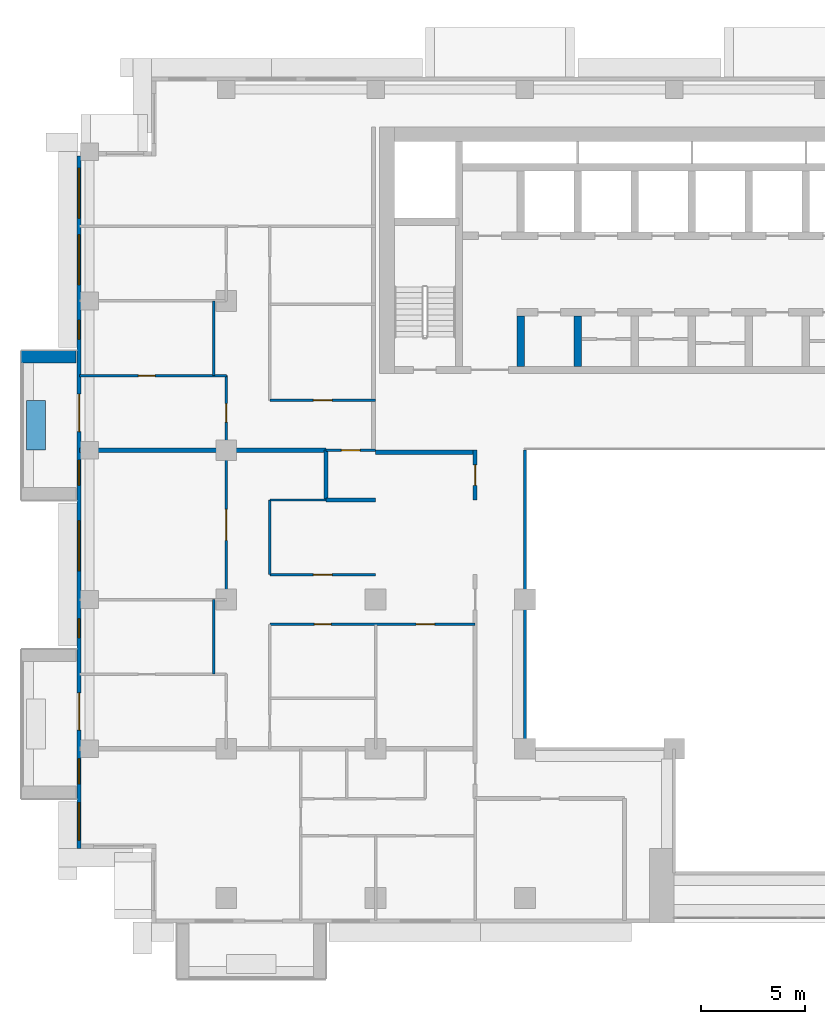
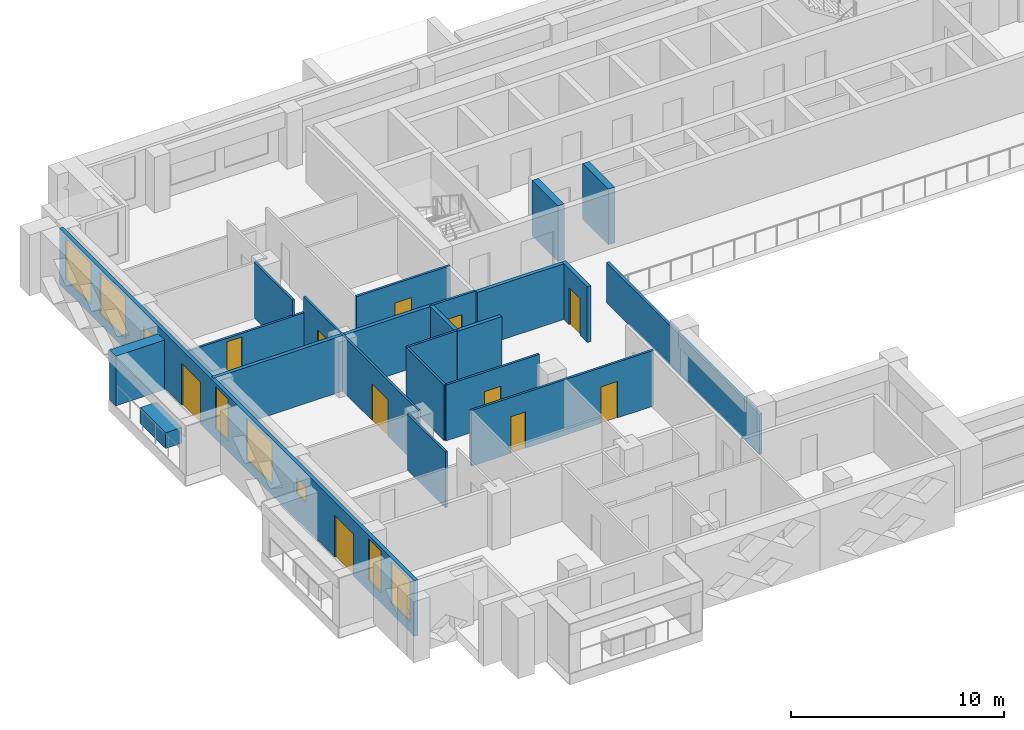
# One storey, part 7 of 20: 21 walls, 11 doors, 8 windows, 19 openings.
"""IFC4 building model written with IfcOpenShell, lengths in metres."""

from ifc_helpers import new_model, si_unit, direction, frame, frame_2d, origin, place, context, subcontext, project, spatial, rectangle, extrude, material, layer, layer_set, type_object, element, fill, save


model = new_model("IFC4")

# Units and contexts
model_context = context("Model", 3, precision=1e-05, world=origin(), true_north=direction((0.0, 1.0)))
body_context = subcontext(model_context, "Body", "Model", "MODEL_VIEW")
ifc_project = project(units=[si_unit("LENGTHUNIT", "METRE"), si_unit("AREAUNIT", "SQUARE_METRE"), si_unit("VOLUMEUNIT", "CUBIC_METRE"), si_unit("PLANEANGLEUNIT", "RADIAN"), si_unit("MASSUNIT", "GRAM", prefix="KILO")], contexts=[model_context])

# Site, building, storey
site_placement = place(None, origin())
site = spatial("IfcSite", under=ifc_project, at=site_placement, CompositionType="ELEMENT")
building_placement = place(site_placement, origin())
building = spatial("IfcBuilding", under=site, at=building_placement, Name="Saffron Iwan Residences", CompositionType="ELEMENT")
storey_placement = place(building_placement, frame((0.0, 0.0, 171.0)))
storey = spatial("IfcBuildingStorey", under=building, at=storey_placement, Name="L45", CompositionType="ELEMENT", Elevation=171.0)

# Walls
ifc_material_1 = material(Name="Fire-rated glazing", Category="glass")
ifc_layer_1 = layer(ifc_material_1, 0.14990234375)
ifc_layer_set_1 = layer_set([ifc_layer_1], Name="Fire-rated glazing")
wall_type_1 = type_object("IfcWallType", Name="Atrium glazed screen 150", PredefinedType="SOLIDWALL", material=ifc_layer_set_1)
wall_1_placement = place(storey_placement, frame((36.0, 48.0, 0.0), z_axis=(0.0, 0.0, 1.0), x_axis=(0.0, 1.0, 0.0)))
element("IfcWall", 1, at=wall_1_placement, inside=storey, type_object=wall_type_1, Name="W-L45-SCREEN-v36-48", PredefinedType="SOLIDWALL", context=body_context, shape_type="SweptSolid", body=[
    extrude(rectangle(XDim=14.39990234375, YDim=0.14990234375, at=frame_2d((7.199951171875, 0.0))), origin(), (0.0, 0.0, 1.0), 2.300048828125),
])
ifc_material_2 = material(Name="Concrete C50/60 white painted", Category="concrete")
ifc_layer_2 = layer(ifc_material_2, 0.60009765625)
ifc_layer_set_2 = layer_set([ifc_layer_2], Name="Concrete C50/60 white painted")
wall_type_2 = type_object("IfcWallType", Name="BALCONY FIN 600", PredefinedType="SOLIDWALL", material=ifc_layer_set_2)
wall_2_placement = place(storey_placement, frame((14.35009765625, 66.89990234375, 0.0), z_axis=(0.0, 0.0, 1.0), x_axis=(-1.0, 0.0, 0.0)))
element("IfcWall", 2, at=wall_2_placement, inside=storey, type_object=wall_type_2, Name="Balcony fin L45 F8-0a", PredefinedType="SOLIDWALL", context=body_context, shape_type="SweptSolid", body=[
    extrude(rectangle(XDim=2.650146484375, YDim=0.60009765625, at=frame_2d((1.3251953125, 0.0))), origin(), (0.0, 0.0, 1.0), 2.85009765625),
])
ifc_material_3 = material(Name="Concrete C35/45 white painted", Category="concrete")
ifc_layer_3 = layer(ifc_material_3, 0.14990234375)
ifc_layer_set_3 = layer_set([ifc_layer_3], Name="Concrete C35/45 white painted")
wall_type_3 = type_object("IfcWallType", Name="BALCONY PLANTER", PredefinedType="SOLIDWALL", material=ifc_layer_set_3)
wall_3_placement = place(storey_placement, frame((12.425048828125, 64.800048828125, 0.0), z_axis=(0.0, 0.0, 1.0), x_axis=(0.0, -1.0, 0.0)))
element("IfcWall", 3, at=wall_3_placement, inside=storey, type_object=wall_type_3, Name="PLANTER L45 F8-0", PredefinedType="SOLIDWALL", context=body_context, shape_type="SweptSolid", body=[
    extrude(rectangle(XDim=2.400146484375, YDim=0.89990234375, at=frame_2d((1.2001953125, 0.0))), origin(), (0.0, 0.0, 1.0), 0.89990234375),
])

# Wall, openings, doors, windows
ifc_material_4 = material(Name="Concrete C40/50", Category="concrete")
ifc_layer_4 = layer(ifc_material_4, 0.199951171875)
ifc_layer_set_4 = layer_set([ifc_layer_4], Name="Concrete C40/50")
wall_type_4 = type_object("IfcWallType", Name="EXTERNAL WALL 200", PredefinedType="SOLIDWALL", material=ifc_layer_set_4)
wall_4_placement = place(storey_placement, frame((14.5, 76.60009765625, 0.0), z_axis=(0.0, 0.0, 1.0), x_axis=(0.0, -1.0, 0.0)))
wall_4 = element("IfcWall", 4, at=wall_4_placement, inside=storey, type_object=wall_type_4, Name="External wall L45 F8.0", PredefinedType="SOLIDWALL", context=body_context, shape_type="SweptSolid", body=[
    extrude(rectangle(XDim=33.400146484375, YDim=0.199951171875, at=frame_2d((16.7001953125, 0.0))), origin(), (0.0, 0.0, 1.0), 3.199951171875),
])
opening_1_placement = place(wall_4_placement, frame((11.5, 0.0, 0.0)))
opening_1 = element("IfcOpeningElement", 5, at=opening_1_placement, cuts=wall_4, Name="Opening BD1", PredefinedType="OPENING", context=body_context, shape_type="SweptSolid", body=[
    extrude(rectangle(XDim=1.800048828125, YDim=2.39990234375, at=frame_2d((0.89990234375, 1.199951171875))), frame((0.0, 0.10986328125, 0.0), z_axis=(0.0, -1.0, 0.0), x_axis=(1.0, 0.0, 0.0)), (0.0, 0.0, 1.0), 0.219970703125),
])
opening_2_placement = place(wall_4_placement, frame((25.89990234375, 0.0, 0.0)))
opening_2 = element("IfcOpeningElement", 6, at=opening_2_placement, cuts=wall_4, Name="Opening BD1", PredefinedType="OPENING", context=body_context, shape_type="SweptSolid", body=[
    extrude(rectangle(XDim=1.800048828125, YDim=2.39990234375, at=frame_2d((0.89990234375, 1.199951171875))), frame((0.0, 0.10986328125, 0.0), z_axis=(0.0, -1.0, 0.0), x_axis=(1.0, 0.0, 0.0)), (0.0, 0.0, 1.0), 0.219970703125),
])
opening_3_placement = place(wall_4_placement, frame((29.08740234375, 0.0, 0.60009765625)))
opening_3 = element("IfcOpeningElement", 7, at=opening_3_placement, cuts=wall_4, Name="Opening W3", PredefinedType="OPENING", context=body_context, shape_type="SweptSolid", body=[
    extrude(rectangle(XDim=1.199951171875, YDim=2.39990234375, at=frame_2d((0.60009765625, 1.199951171875))), frame((0.0, 0.10986328125, 0.0), z_axis=(0.0, -1.0, 0.0), x_axis=(1.0, 0.0, 0.0)), (0.0, 0.0, 1.0), 0.219970703125),
])
opening_4_placement = place(wall_4_placement, frame((31.199951171875, 0.0, 0.60009765625)))
opening_4 = element("IfcOpeningElement", 8, at=opening_4_placement, cuts=wall_4, Name="Opening W8", PredefinedType="OPENING", context=body_context, shape_type="SweptSolid", body=[
    extrude(rectangle(XDim=1.800048828125, YDim=2.39990234375, at=frame_2d((0.89990234375, 1.199951171875))), frame((0.0, 0.10986328125, 0.0), z_axis=(0.0, -1.0, 0.0), x_axis=(1.0, 0.0, 0.0)), (0.0, 0.0, 1.0), 0.219970703125),
])
opening_5_placement = place(wall_4_placement, frame((22.33740234375, 0.0, 1.5)))
opening_5 = element("IfcOpeningElement", 9, at=opening_5_placement, cuts=wall_4, Name="Opening W6", PredefinedType="OPENING", context=body_context, shape_type="SweptSolid", body=[
    extrude(rectangle(XDim=0.89990234375, YDim=0.89990234375, at=frame_2d((0.449951171875, 0.449951171875))), frame((0.0, 0.10986328125, 0.0), z_axis=(0.0, -1.0, 0.0), x_axis=(1.0, 0.0, 0.0)), (0.0, 0.0, 1.0), 0.219970703125),
])
opening_6_placement = place(wall_4_placement, frame((14.6875, 0.0, 0.60009765625)))
opening_6 = element("IfcOpeningElement", 10, at=opening_6_placement, cuts=wall_4, Name="Opening W3", PredefinedType="OPENING", context=body_context, shape_type="SweptSolid", body=[
    extrude(rectangle(XDim=1.199951171875, YDim=2.39990234375, at=frame_2d((0.60009765625, 1.199951171875))), frame((0.0, 0.10986328125, 0.0), z_axis=(0.0, -1.0, 0.0), x_axis=(1.0, 0.0, 0.0)), (0.0, 0.0, 1.0), 0.219970703125),
])
opening_7_placement = place(wall_4_placement, frame((17.612548828125, 0.0, 0.60009765625)))
opening_7 = element("IfcOpeningElement", 11, at=opening_7_placement, cuts=wall_4, Name="Opening W1", PredefinedType="OPENING", context=body_context, shape_type="SweptSolid", body=[
    extrude(rectangle(XDim=2.39990234375, YDim=2.39990234375, at=frame_2d((1.199951171875, 1.199951171875))), frame((0.0, 0.10986328125, 0.0), z_axis=(0.0, -1.0, 0.0), x_axis=(1.0, 0.0, 0.0)), (0.0, 0.0, 1.0), 0.219970703125),
])
opening_8_placement = place(wall_4_placement, frame((7.9375, 0.0, 1.5)))
opening_8 = element("IfcOpeningElement", 12, at=opening_8_placement, cuts=wall_4, Name="Opening W6", PredefinedType="OPENING", context=body_context, shape_type="SweptSolid", body=[
    extrude(rectangle(XDim=0.89990234375, YDim=0.89990234375, at=frame_2d((0.449951171875, 0.449951171875))), frame((0.0, 0.10986328125, 0.0), z_axis=(0.0, -1.0, 0.0), x_axis=(1.0, 0.0, 0.0)), (0.0, 0.0, 1.0), 0.219970703125),
])
opening_9_placement = place(wall_4_placement, frame((3.8125, 0.0, 0.60009765625)))
opening_9 = element("IfcOpeningElement", 13, at=opening_9_placement, cuts=wall_4, Name="Opening W1", PredefinedType="OPENING", context=body_context, shape_type="SweptSolid", body=[
    extrude(rectangle(XDim=2.39990234375, YDim=2.39990234375, at=frame_2d((1.199951171875, 1.199951171875))), frame((0.0, 0.10986328125, 0.0), z_axis=(0.0, -1.0, 0.0), x_axis=(1.0, 0.0, 0.0)), (0.0, 0.0, 1.0), 0.219970703125),
])
opening_10_placement = place(wall_4_placement, frame((0.60009765625, 0.0, 0.60009765625)))
opening_10 = element("IfcOpeningElement", 14, at=opening_10_placement, cuts=wall_4, Name="Opening W1", PredefinedType="OPENING", context=body_context, shape_type="SweptSolid", body=[
    extrude(rectangle(XDim=2.39990234375, YDim=2.39990234375, at=frame_2d((1.199951171875, 1.199951171875))), frame((0.0, 0.10986328125, 0.0), z_axis=(0.0, -1.0, 0.0), x_axis=(1.0, 0.0, 0.0)), (0.0, 0.0, 1.0), 0.219970703125),
])
ifc_material_5 = material(Name="Clear glass, laminated double glazed", Category="glass")
door_type_1 = type_object("IfcDoorType", Name="BALCONY DOOR 1800 x 2400", OperationType="DOUBLE_DOOR_SLIDING", PredefinedType="DOOR", material=ifc_material_5)
door_1_placement = place(opening_1_placement, origin())
door_1 = element("IfcDoor", 15, at=door_1_placement, inside=storey, type_object=door_type_1, Name="Balcony door L45 F8.0", OperationType="DOUBLE_DOOR_SLIDING", OverallHeight=2.39990234375, OverallWidth=1.800048828125, PredefinedType="DOOR", context=body_context, shape_type="SweptSolid", body=[
    extrude(rectangle(XDim=1.800048828125, YDim=2.39990234375, at=frame_2d((0.89990234375, 1.199951171875))), frame((0.0, 0.02490234375, 0.0), z_axis=(0.0, -1.0, 0.0), x_axis=(1.0, 0.0, 0.0)), (0.0, 0.0, 1.0), 0.050048828125),
])
fill(opening_1, door_1)
door_2_placement = place(opening_2_placement, origin())
door_2 = element("IfcDoor", 16, at=door_2_placement, inside=storey, type_object=door_type_1, Name="Balcony door L45 F8.1", OperationType="DOUBLE_DOOR_SLIDING", OverallHeight=2.39990234375, OverallWidth=1.800048828125, PredefinedType="DOOR", context=body_context, shape_type="SweptSolid", body=[
    extrude(rectangle(XDim=1.800048828125, YDim=2.39990234375, at=frame_2d((0.89990234375, 1.199951171875))), frame((0.0, 0.02490234375, 0.0), z_axis=(0.0, -1.0, 0.0), x_axis=(1.0, 0.0, 0.0)), (0.0, 0.0, 1.0), 0.050048828125),
])
fill(opening_2, door_2)
window_type_1 = type_object("IfcWindowType", Name="WINDOW 1200 x 2400", PartitioningType="SINGLE_PANEL", PredefinedType="WINDOW", material=ifc_material_5)
window_1_placement = place(opening_3_placement, origin())
window_1 = element("IfcWindow", 17, at=window_1_placement, inside=storey, type_object=window_type_1, Name="Window L45 F8.2", OverallHeight=2.39990234375, OverallWidth=1.199951171875, PartitioningType="SINGLE_PANEL", PredefinedType="WINDOW", context=body_context, shape_type="SweptSolid", body=[
    extrude(rectangle(XDim=1.199951171875, YDim=2.39990234375, at=frame_2d((0.60009765625, 1.199951171875))), frame((0.0, 0.030029296875, 0.0), z_axis=(0.0, -1.0, 0.0), x_axis=(1.0, 0.0, 0.0)), (0.0, 0.0, 1.0), 0.06005859375),
])
fill(opening_3, window_1)
window_2_placement = place(opening_6_placement, origin())
window_2 = element("IfcWindow", 18, at=window_2_placement, inside=storey, type_object=window_type_1, Name="Window L45 F8.5", OverallHeight=2.39990234375, OverallWidth=1.199951171875, PartitioningType="SINGLE_PANEL", PredefinedType="WINDOW", context=body_context, shape_type="SweptSolid", body=[
    extrude(rectangle(XDim=1.199951171875, YDim=2.39990234375, at=frame_2d((0.60009765625, 1.199951171875))), frame((0.0, 0.030029296875, 0.0), z_axis=(0.0, -1.0, 0.0), x_axis=(1.0, 0.0, 0.0)), (0.0, 0.0, 1.0), 0.06005859375),
])
fill(opening_6, window_2)
window_type_2 = type_object("IfcWindowType", Name="WINDOW 1800 x 2400", PartitioningType="DOUBLE_PANEL_VERTICAL", PredefinedType="WINDOW", material=ifc_material_5)
window_3_placement = place(opening_4_placement, origin())
window_3 = element("IfcWindow", 19, at=window_3_placement, inside=storey, type_object=window_type_2, Name="Window L45 F8.3", OverallHeight=2.39990234375, OverallWidth=1.800048828125, PartitioningType="DOUBLE_PANEL_VERTICAL", PredefinedType="WINDOW", context=body_context, shape_type="SweptSolid", body=[
    extrude(rectangle(XDim=1.800048828125, YDim=2.39990234375, at=frame_2d((0.89990234375, 1.199951171875))), frame((0.0, 0.030029296875, 0.0), z_axis=(0.0, -1.0, 0.0), x_axis=(1.0, 0.0, 0.0)), (0.0, 0.0, 1.0), 0.06005859375),
])
fill(opening_4, window_3)
window_type_3 = type_object("IfcWindowType", Name="WINDOW 2400 x 2400", PartitioningType="DOUBLE_PANEL_VERTICAL", PredefinedType="WINDOW", material=ifc_material_5)
window_4_placement = place(opening_7_placement, origin())
window_4 = element("IfcWindow", 20, at=window_4_placement, inside=storey, type_object=window_type_3, Name="Window L45 F8.6", OverallHeight=2.39990234375, OverallWidth=2.39990234375, PartitioningType="DOUBLE_PANEL_VERTICAL", PredefinedType="WINDOW", context=body_context, shape_type="SweptSolid", body=[
    extrude(rectangle(XDim=2.39990234375, YDim=2.39990234375, at=frame_2d((1.199951171875, 1.199951171875))), frame((0.0, 0.030029296875, 0.0), z_axis=(0.0, -1.0, 0.0), x_axis=(1.0, 0.0, 0.0)), (0.0, 0.0, 1.0), 0.06005859375),
])
fill(opening_7, window_4)
window_5_placement = place(opening_9_placement, origin())
window_5 = element("IfcWindow", 21, at=window_5_placement, inside=storey, type_object=window_type_3, Name="Window L45 F8.8", OverallHeight=2.39990234375, OverallWidth=2.39990234375, PartitioningType="DOUBLE_PANEL_VERTICAL", PredefinedType="WINDOW", context=body_context, shape_type="SweptSolid", body=[
    extrude(rectangle(XDim=2.39990234375, YDim=2.39990234375, at=frame_2d((1.199951171875, 1.199951171875))), frame((0.0, 0.030029296875, 0.0), z_axis=(0.0, -1.0, 0.0), x_axis=(1.0, 0.0, 0.0)), (0.0, 0.0, 1.0), 0.06005859375),
])
fill(opening_9, window_5)
window_6_placement = place(opening_10_placement, origin())
window_6 = element("IfcWindow", 22, at=window_6_placement, inside=storey, type_object=window_type_3, Name="Window L45 F8.9", OverallHeight=2.39990234375, OverallWidth=2.39990234375, PartitioningType="DOUBLE_PANEL_VERTICAL", PredefinedType="WINDOW", context=body_context, shape_type="SweptSolid", body=[
    extrude(rectangle(XDim=2.39990234375, YDim=2.39990234375, at=frame_2d((1.199951171875, 1.199951171875))), frame((0.0, 0.030029296875, 0.0), z_axis=(0.0, -1.0, 0.0), x_axis=(1.0, 0.0, 0.0)), (0.0, 0.0, 1.0), 0.06005859375),
])
fill(opening_10, window_6)
window_type_4 = type_object("IfcWindowType", Name="WINDOW 900 x 900 BATH", PartitioningType="SINGLE_PANEL", PredefinedType="WINDOW", material=ifc_material_5)
window_7_placement = place(opening_5_placement, origin())
window_7 = element("IfcWindow", 23, at=window_7_placement, inside=storey, type_object=window_type_4, Name="Window L45 F8.4", OverallHeight=0.89990234375, OverallWidth=0.89990234375, PartitioningType="SINGLE_PANEL", PredefinedType="WINDOW", context=body_context, shape_type="SweptSolid", body=[
    extrude(rectangle(XDim=0.89990234375, YDim=0.89990234375, at=frame_2d((0.449951171875, 0.449951171875))), frame((0.0, 0.030029296875, 0.0), z_axis=(0.0, -1.0, 0.0), x_axis=(1.0, 0.0, 0.0)), (0.0, 0.0, 1.0), 0.06005859375),
])
fill(opening_5, window_7)
window_8_placement = place(opening_8_placement, origin())
window_8 = element("IfcWindow", 24, at=window_8_placement, inside=storey, type_object=window_type_4, Name="Window L45 F8.7", OverallHeight=0.89990234375, OverallWidth=0.89990234375, PartitioningType="SINGLE_PANEL", PredefinedType="WINDOW", context=body_context, shape_type="SweptSolid", body=[
    extrude(rectangle(XDim=0.89990234375, YDim=0.89990234375, at=frame_2d((0.449951171875, 0.449951171875))), frame((0.0, 0.030029296875, 0.0), z_axis=(0.0, -1.0, 0.0), x_axis=(1.0, 0.0, 0.0)), (0.0, 0.0, 1.0), 0.06005859375),
])
fill(opening_8, window_8)

# Walls
ifc_material_6 = material(Name="Fire-rated gypsum board wall")
ifc_layer_5 = layer(ifc_material_6, 0.199951171875)
ifc_layer_set_5 = layer_set([ifc_layer_5], Name="Fire-rated gypsum board wall")
wall_type_5 = type_object("IfcWallType", Name="Flat demising wall 200", PredefinedType="SOLIDWALL", material=ifc_layer_set_5)
wall_5_placement = place(storey_placement, frame((26.39990234375, 60.0, 0.0), z_axis=(0.0, 0.0, 1.0), x_axis=(1.0, 0.0, 0.0)))
element("IfcWall", 25, at=wall_5_placement, inside=storey, type_object=wall_type_5, Name="W-L45-DEMISE-h60-26.4", PredefinedType="SOLIDWALL", context=body_context, shape_type="SweptSolid", body=[
    extrude(rectangle(XDim=2.400146484375, YDim=0.199951171875, at=frame_2d((1.2001953125, 0.0))), origin(), (0.0, 0.0, 1.0), 3.199951171875),
])
wall_6_placement = place(storey_placement, frame((14.52490234375, 62.39990234375, 0.0), z_axis=(0.0, 0.0, 1.0), x_axis=(1.0, 0.0, 0.0)))
element("IfcWall", 26, at=wall_6_placement, inside=storey, type_object=wall_type_5, Name="W-L45-DEMISE-h62.4-14.525", PredefinedType="SOLIDWALL", context=body_context, shape_type="SweptSolid", body=[
    extrude(rectangle(XDim=11.875, YDim=0.199951171875, at=frame_2d((5.9375, 0.0))), origin(), (0.0, 0.0, 1.0), 3.199951171875),
])
wall_7_placement = place(storey_placement, frame((26.39990234375, 60.0, 0.0), z_axis=(0.0, 0.0, 1.0), x_axis=(0.0, 1.0, 0.0)))
element("IfcWall", 27, at=wall_7_placement, inside=storey, type_object=wall_type_5, Name="W-L45-DEMISE-v26.4-60", PredefinedType="SOLIDWALL", context=body_context, shape_type="SweptSolid", body=[
    extrude(rectangle(XDim=2.39990234375, YDim=0.199951171875, at=frame_2d((1.199951171875, 0.0))), origin(), (0.0, 0.0, 1.0), 3.199951171875),
])

# Wall, openings, doors
ifc_material_7 = material(Name="Gypsum board partition")
ifc_layer_6 = layer(ifc_material_7, 0.1201171875)
ifc_layer_set_6 = layer_set([ifc_layer_6], Name="Gypsum board partition")
wall_type_6 = type_object("IfcWallType", Name="Flat partition 120", PredefinedType="PARTITIONING", material=ifc_layer_set_6)
wall_8_placement = place(storey_placement, frame((23.699951171875, 54.0, 0.0), z_axis=(0.0, 0.0, 1.0), x_axis=(1.0, 0.0, 0.0)))
wall_8 = element("IfcWall", 28, at=wall_8_placement, inside=storey, type_object=wall_type_6, Name="W-L45-PART-h54-23.7", PredefinedType="PARTITIONING", context=body_context, shape_type="SweptSolid", body=[
    extrude(rectangle(XDim=9.900146484375, YDim=0.1201171875, at=frame_2d((4.9501953125, 0.0))), origin(), (0.0, 0.0, 1.0), 3.199951171875),
])
opening_11_placement = place(wall_8_placement, frame((2.14990234375, 0.0, 0.0)))
opening_11 = element("IfcOpeningElement", 29, at=opening_11_placement, cuts=wall_8, Name="Opening FD3", PredefinedType="OPENING", context=body_context, shape_type="SweptSolid", body=[
    extrude(rectangle(XDim=0.800048828125, YDim=2.10009765625, at=frame_2d((0.39990234375, 1.050048828125))), frame((0.0, 0.070068359375, 0.0), z_axis=(0.0, -1.0, 0.0), x_axis=(1.0, 0.0, 0.0)), (0.0, 0.0, 1.0), 0.14013671875),
])
opening_12_placement = place(wall_8_placement, frame((7.050048828125, 0.0, 0.0)))
opening_12 = element("IfcOpeningElement", 30, at=opening_12_placement, cuts=wall_8, Name="Opening FD2", PredefinedType="OPENING", context=body_context, shape_type="SweptSolid", body=[
    extrude(rectangle(XDim=0.89990234375, YDim=2.10009765625, at=frame_2d((0.449951171875, 1.050048828125))), frame((0.0, 0.070068359375, 0.0), z_axis=(0.0, -1.0, 0.0), x_axis=(1.0, 0.0, 0.0)), (0.0, 0.0, 1.0), 0.14013671875),
])
ifc_material_8 = material(Name="Timber door", Category="wood")
door_type_2 = type_object("IfcDoorType", Name="Bathroom door 800", OperationType="NOTDEFINED", PredefinedType="DOOR", material=ifc_material_8)
door_3_placement = place(opening_11_placement, origin())
door_3 = element("IfcDoor", 31, at=door_3_placement, inside=storey, type_object=door_type_2, Name="Door L45-013", OperationType="SINGLE_SWING_RIGHT", OverallHeight=2.10009765625, OverallWidth=0.800048828125, PredefinedType="DOOR", context=body_context, shape_type="SweptSolid", body=[
    extrude(rectangle(XDim=0.800048828125, YDim=2.10009765625, at=frame_2d((0.39990234375, 1.050048828125))), frame((0.0, 0.02490234375, 0.0), z_axis=(0.0, -1.0, 0.0), x_axis=(1.0, 0.0, 0.0)), (0.0, 0.0, 1.0), 0.050048828125),
])
fill(opening_11, door_3)
door_type_3 = type_object("IfcDoorType", Name="Flat door 900", OperationType="NOTDEFINED", PredefinedType="DOOR", material=ifc_material_8)
door_4_placement = place(opening_12_placement, origin())
door_4 = element("IfcDoor", 32, at=door_4_placement, inside=storey, type_object=door_type_3, Name="Door L45-015", OperationType="SINGLE_SWING_LEFT", OverallHeight=2.10009765625, OverallWidth=0.89990234375, PredefinedType="DOOR", context=body_context, shape_type="SweptSolid", body=[
    extrude(rectangle(XDim=0.89990234375, YDim=2.10009765625, at=frame_2d((0.449951171875, 1.050048828125))), frame((0.0, 0.02490234375, 0.0), z_axis=(0.0, -1.0, 0.0), x_axis=(1.0, 0.0, 0.0)), (0.0, 0.0, 1.0), 0.050048828125),
])
fill(opening_12, door_4)

# Wall, opening, door
wall_9_placement = place(storey_placement, frame((23.699951171875, 56.39990234375, 0.0), z_axis=(0.0, 0.0, 1.0), x_axis=(1.0, 0.0, 0.0)))
wall_9 = element("IfcWall", 33, at=wall_9_placement, inside=storey, type_object=wall_type_6, Name="W-L45-PART-h56.4-23.7", PredefinedType="PARTITIONING", context=body_context, shape_type="SweptSolid", body=[
    extrude(rectangle(XDim=5.10009765625, YDim=0.1201171875, at=frame_2d((2.550048828125, 0.0))), origin(), (0.0, 0.0, 1.0), 3.199951171875),
])
opening_13_placement = place(wall_9_placement, frame((2.10009765625, 0.0, 0.0)))
opening_13 = element("IfcOpeningElement", 34, at=opening_13_placement, cuts=wall_9, Name="Opening FD2", PredefinedType="OPENING", context=body_context, shape_type="SweptSolid", body=[
    extrude(rectangle(XDim=0.89990234375, YDim=2.10009765625, at=frame_2d((0.449951171875, 1.050048828125))), frame((0.0, 0.070068359375, 0.0), z_axis=(0.0, -1.0, 0.0), x_axis=(1.0, 0.0, 0.0)), (0.0, 0.0, 1.0), 0.14013671875),
])
door_5_placement = place(opening_13_placement, origin())
door_5 = element("IfcDoor", 35, at=door_5_placement, inside=storey, type_object=door_type_3, Name="Door L45-014", OperationType="SINGLE_SWING_LEFT", OverallHeight=2.10009765625, OverallWidth=0.89990234375, PredefinedType="DOOR", context=body_context, shape_type="SweptSolid", body=[
    extrude(rectangle(XDim=0.89990234375, YDim=2.10009765625, at=frame_2d((0.449951171875, 1.050048828125))), frame((0.0, 0.02490234375, 0.0), z_axis=(0.0, -1.0, 0.0), x_axis=(1.0, 0.0, 0.0)), (0.0, 0.0, 1.0), 0.050048828125),
])
fill(opening_13, door_5)

# Wall
wall_10_placement = place(storey_placement, frame((23.699951171875, 60.0, 0.0), z_axis=(0.0, 0.0, 1.0), x_axis=(1.0, 0.0, 0.0)))
element("IfcWall", 36, at=wall_10_placement, inside=storey, type_object=wall_type_6, Name="W-L45-PART-h60-23.7", PredefinedType="PARTITIONING", context=body_context, shape_type="SweptSolid", body=[
    extrude(rectangle(XDim=2.699951171875, YDim=0.1201171875, at=frame_2d((1.35009765625, 0.0))), origin(), (0.0, 0.0, 1.0), 3.199951171875),
])

# Wall, opening, door
wall_11_placement = place(storey_placement, frame((26.39990234375, 62.39990234375, 0.0), z_axis=(0.0, 0.0, 1.0), x_axis=(1.0, 0.0, 0.0)))
wall_11 = element("IfcWall", 37, at=wall_11_placement, inside=storey, type_object=wall_type_6, Name="W-L45-PART-h62.4-26.4", PredefinedType="PARTITIONING", context=body_context, shape_type="SweptSolid", body=[
    extrude(rectangle(XDim=2.400146484375, YDim=0.1201171875, at=frame_2d((1.2001953125, 0.0))), origin(), (0.0, 0.0, 1.0), 3.199951171875),
])
opening_14_placement = place(wall_11_placement, frame((0.75, 0.0, 0.0)))
opening_14 = element("IfcOpeningElement", 38, at=opening_14_placement, cuts=wall_11, Name="Opening FD2", PredefinedType="OPENING", context=body_context, shape_type="SweptSolid", body=[
    extrude(rectangle(XDim=0.89990234375, YDim=2.10009765625, at=frame_2d((0.449951171875, 1.050048828125))), frame((0.0, 0.070068359375, 0.0), z_axis=(0.0, -1.0, 0.0), x_axis=(1.0, 0.0, 0.0)), (0.0, 0.0, 1.0), 0.14013671875),
])
door_6_placement = place(opening_14_placement, origin())
door_6 = element("IfcDoor", 39, at=door_6_placement, inside=storey, type_object=door_type_3, Name="Door L45-025", OperationType="SINGLE_SWING_RIGHT", OverallHeight=2.10009765625, OverallWidth=0.89990234375, PredefinedType="DOOR", context=body_context, shape_type="SweptSolid", body=[
    extrude(rectangle(XDim=0.89990234375, YDim=2.10009765625, at=frame_2d((0.449951171875, 1.050048828125))), frame((0.0, 0.02490234375, 0.0), z_axis=(0.0, -1.0, 0.0), x_axis=(1.0, 0.0, 0.0)), (0.0, 0.0, 1.0), 0.050048828125),
])
fill(opening_14, door_6)

wall_12_placement = place(storey_placement, frame((23.699951171875, 64.800048828125, 0.0), z_axis=(0.0, 0.0, 1.0), x_axis=(1.0, 0.0, 0.0)))
wall_12 = element("IfcWall", 40, at=wall_12_placement, inside=storey, type_object=wall_type_6, Name="W-L45-PART-h64.8-23.7", PredefinedType="PARTITIONING", context=body_context, shape_type="SweptSolid", body=[
    extrude(rectangle(XDim=5.10009765625, YDim=0.1201171875, at=frame_2d((2.550048828125, 0.0))), origin(), (0.0, 0.0, 1.0), 3.199951171875),
])
opening_15_placement = place(wall_12_placement, frame((2.10009765625, 0.0, 0.0)))
opening_15 = element("IfcOpeningElement", 41, at=opening_15_placement, cuts=wall_12, Name="Opening FD2", PredefinedType="OPENING", context=body_context, shape_type="SweptSolid", body=[
    extrude(rectangle(XDim=0.89990234375, YDim=2.10009765625, at=frame_2d((0.449951171875, 1.050048828125))), frame((0.0, 0.070068359375, 0.0), z_axis=(0.0, -1.0, 0.0), x_axis=(1.0, 0.0, 0.0)), (0.0, 0.0, 1.0), 0.14013671875),
])
door_7_placement = place(opening_15_placement, origin())
door_7 = element("IfcDoor", 42, at=door_7_placement, inside=storey, type_object=door_type_3, Name="Door L45-031", OperationType="SINGLE_SWING_RIGHT", OverallHeight=2.10009765625, OverallWidth=0.89990234375, PredefinedType="DOOR", context=body_context, shape_type="SweptSolid", body=[
    extrude(rectangle(XDim=0.89990234375, YDim=2.10009765625, at=frame_2d((0.449951171875, 1.050048828125))), frame((0.0, 0.02490234375, 0.0), z_axis=(0.0, -1.0, 0.0), x_axis=(1.0, 0.0, 0.0)), (0.0, 0.0, 1.0), 0.050048828125),
])
fill(opening_15, door_7)

wall_13_placement = place(storey_placement, frame((14.52490234375, 66.0, 0.0), z_axis=(0.0, 0.0, 1.0), x_axis=(1.0, 0.0, 0.0)))
wall_13 = element("IfcWall", 43, at=wall_13_placement, inside=storey, type_object=wall_type_6, Name="W-L45-PART-h66-14.525", PredefinedType="PARTITIONING", context=body_context, shape_type="SweptSolid", body=[
    extrude(rectangle(XDim=7.0751953125, YDim=0.1201171875, at=frame_2d((3.53759765625, 0.0))), origin(), (0.0, 0.0, 1.0), 2.300048828125),
])
opening_16_placement = place(wall_13_placement, frame((2.83740234375, 0.0, 0.0)))
opening_16 = element("IfcOpeningElement", 44, at=opening_16_placement, cuts=wall_13, Name="Opening FD3", PredefinedType="OPENING", context=body_context, shape_type="SweptSolid", body=[
    extrude(rectangle(XDim=0.800048828125, YDim=2.10009765625, at=frame_2d((0.39990234375, 1.050048828125))), frame((0.0, 0.070068359375, 0.0), z_axis=(0.0, -1.0, 0.0), x_axis=(1.0, 0.0, 0.0)), (0.0, 0.0, 1.0), 0.14013671875),
])
door_8_placement = place(opening_16_placement, origin())
door_8 = element("IfcDoor", 45, at=door_8_placement, inside=storey, type_object=door_type_2, Name="Door L45-028", OperationType="SINGLE_SWING_RIGHT", OverallHeight=2.10009765625, OverallWidth=0.800048828125, PredefinedType="DOOR", context=body_context, shape_type="SweptSolid", body=[
    extrude(rectangle(XDim=0.800048828125, YDim=2.10009765625, at=frame_2d((0.39990234375, 1.050048828125))), frame((0.0, 0.02490234375, 0.0), z_axis=(0.0, -1.0, 0.0), x_axis=(1.0, 0.0, 0.0)), (0.0, 0.0, 1.0), 0.050048828125),
])
fill(opening_16, door_8)

# Walls
wall_14_placement = place(storey_placement, frame((21.0, 51.60009765625, 0.0), z_axis=(0.0, 0.0, 1.0), x_axis=(0.0, 1.0, 0.0)))
element("IfcWall", 46, at=wall_14_placement, inside=storey, type_object=wall_type_6, Name="W-L45-PART-v21-51.6", PredefinedType="PARTITIONING", context=body_context, shape_type="SweptSolid", body=[
    extrude(rectangle(XDim=3.599853515625, YDim=0.1201171875, at=frame_2d((1.7998046875, 0.0))), origin(), (0.0, 0.0, 1.0), 3.199951171875),
])
wall_15_placement = place(storey_placement, frame((21.0, 66.0, 0.0), z_axis=(0.0, 0.0, 1.0), x_axis=(0.0, 1.0, 0.0)))
element("IfcWall", 47, at=wall_15_placement, inside=storey, type_object=wall_type_6, Name="W-L45-PART-v21-66", PredefinedType="PARTITIONING", context=body_context, shape_type="SweptSolid", body=[
    extrude(rectangle(XDim=3.60009765625, YDim=0.1201171875, at=frame_2d((1.800048828125, 0.0))), origin(), (0.0, 0.0, 1.0), 3.199951171875),
])

# Wall, openings, doors
wall_16_placement = place(storey_placement, frame((21.60009765625, 55.199951171875, 0.0), z_axis=(0.0, 0.0, 1.0), x_axis=(0.0, 1.0, 0.0)))
wall_16 = element("IfcWall", 48, at=wall_16_placement, inside=storey, type_object=wall_type_6, Name="W-L45-PART-v21.6-55.2", PredefinedType="PARTITIONING", context=body_context, shape_type="SweptSolid", body=[
    extrude(rectangle(XDim=10.800048828125, YDim=0.1201171875, at=frame_2d((5.39990234375, 0.0))), origin(), (0.0, 0.0, 1.0), 3.199951171875),
])
opening_17_placement = place(wall_16_placement, frame((2.85009765625, 0.0, 0.0)))
opening_17 = element("IfcOpeningElement", 49, at=opening_17_placement, cuts=wall_16, Name="Opening FD4", PredefinedType="OPENING", context=body_context, shape_type="SweptSolid", body=[
    extrude(rectangle(XDim=1.5, YDim=2.10009765625, at=frame_2d((0.75, 1.050048828125))), frame((0.0, 0.070068359375, 0.0), z_axis=(0.0, -1.0, 0.0), x_axis=(1.0, 0.0, 0.0)), (0.0, 0.0, 1.0), 0.14013671875),
])
opening_18_placement = place(wall_16_placement, frame((8.550048828125, 0.0, 0.0)))
opening_18 = element("IfcOpeningElement", 50, at=opening_18_placement, cuts=wall_16, Name="Opening FD2", PredefinedType="OPENING", context=body_context, shape_type="SweptSolid", body=[
    extrude(rectangle(XDim=0.89990234375, YDim=2.10009765625, at=frame_2d((0.449951171875, 1.050048828125))), frame((0.0, 0.070068359375, 0.0), z_axis=(0.0, -1.0, 0.0), x_axis=(1.0, 0.0, 0.0)), (0.0, 0.0, 1.0), 0.14013671875),
])
door_type_4 = type_object("IfcDoorType", Name="Double door 1500", OperationType="NOTDEFINED", PredefinedType="DOOR", material=ifc_material_8)
door_9_placement = place(opening_17_placement, origin())
door_9 = element("IfcDoor", 51, at=door_9_placement, inside=storey, type_object=door_type_4, Name="Door L45-011", OperationType="SINGLE_SWING_LEFT", OverallHeight=2.10009765625, OverallWidth=1.5, PredefinedType="DOOR", context=body_context, shape_type="SweptSolid", body=[
    extrude(rectangle(XDim=1.5, YDim=2.10009765625, at=frame_2d((0.75, 1.050048828125))), frame((0.0, 0.02490234375, 0.0), z_axis=(0.0, -1.0, 0.0), x_axis=(1.0, 0.0, 0.0)), (0.0, 0.0, 1.0), 0.050048828125),
])
fill(opening_17, door_9)
door_10_placement = place(opening_18_placement, origin())
door_10 = element("IfcDoor", 52, at=door_10_placement, inside=storey, type_object=door_type_3, Name="Door L45-027", OperationType="SINGLE_SWING_LEFT", OverallHeight=2.10009765625, OverallWidth=0.89990234375, PredefinedType="DOOR", context=body_context, shape_type="SweptSolid", body=[
    extrude(rectangle(XDim=0.89990234375, YDim=2.10009765625, at=frame_2d((0.449951171875, 1.050048828125))), frame((0.0, 0.02490234375, 0.0), z_axis=(0.0, -1.0, 0.0), x_axis=(1.0, 0.0, 0.0)), (0.0, 0.0, 1.0), 0.050048828125),
])
fill(opening_18, door_10)

# Walls
wall_17_placement = place(storey_placement, frame((23.699951171875, 56.39990234375, 0.0), z_axis=(0.0, 0.0, 1.0), x_axis=(0.0, 1.0, 0.0)))
element("IfcWall", 53, at=wall_17_placement, inside=storey, type_object=wall_type_6, Name="W-L45-PART-v23.7-56.4", PredefinedType="PARTITIONING", context=body_context, shape_type="SweptSolid", body=[
    extrude(rectangle(XDim=3.60009765625, YDim=0.1201171875, at=frame_2d((1.800048828125, 0.0))), origin(), (0.0, 0.0, 1.0), 3.199951171875),
])
ifc_layer_7 = layer(ifc_material_6, 0.199951171875)
ifc_layer_set_7 = layer_set([ifc_layer_7], Name="Fire-rated gypsum board wall")
wall_type_7 = type_object("IfcWallType", Name="Gallery wall 200", PredefinedType="SOLIDWALL", material=ifc_layer_set_7)
wall_18_placement = place(storey_placement, frame((28.800048828125, 62.300048828125, 0.0), z_axis=(0.0, 0.0, 1.0), x_axis=(1.0, 0.0, 0.0)))
element("IfcWall", 54, at=wall_18_placement, inside=storey, type_object=wall_type_7, Name="W-L45-CORR-h62.4-28.8", PredefinedType="SOLIDWALL", context=body_context, shape_type="SweptSolid", body=[
    extrude(rectangle(XDim=4.800048828125, YDim=0.199951171875, at=frame_2d((2.39990234375, 0.0))), origin(), (0.0, 0.0, 1.0), 3.199951171875),
])

# Wall, opening, door
wall_19_placement = place(storey_placement, frame((33.60009765625, 60.0, 0.0), z_axis=(0.0, 0.0, 1.0), x_axis=(0.0, 1.0, 0.0)))
wall_19 = element("IfcWall", 55, at=wall_19_placement, inside=storey, type_object=wall_type_7, Name="W-L45-CORR-v33.6-60", PredefinedType="SOLIDWALL", context=body_context, shape_type="SweptSolid", body=[
    extrude(rectangle(XDim=2.39990234375, YDim=0.199951171875, at=frame_2d((1.199951171875, 0.0))), origin(), (0.0, 0.0, 1.0), 3.199951171875),
])
opening_19_placement = place(wall_19_placement, frame((0.699951171875, 0.0, 0.0)))
opening_19 = element("IfcOpeningElement", 56, at=opening_19_placement, cuts=wall_19, Name="Opening FD5", PredefinedType="OPENING", context=body_context, shape_type="SweptSolid", body=[
    extrude(rectangle(XDim=1.0, YDim=2.10009765625, at=frame_2d((0.5, 1.050048828125))), frame((0.0, 0.10986328125, 0.0), z_axis=(0.0, -1.0, 0.0), x_axis=(1.0, 0.0, 0.0)), (0.0, 0.0, 1.0), 0.219970703125),
])
ifc_material_9 = material(Name="Fire-rated timber door", Category="wood")
door_type_5 = type_object("IfcDoorType", Name="Lobby door 1000", OperationType="NOTDEFINED", PredefinedType="DOOR", material=ifc_material_9)
door_11_placement = place(opening_19_placement, origin())
door_11 = element("IfcDoor", 57, at=door_11_placement, inside=storey, type_object=door_type_5, Name="Door L45-026", OperationType="SINGLE_SWING_LEFT", OverallHeight=2.10009765625, OverallWidth=1.0, PredefinedType="DOOR", context=body_context, shape_type="SweptSolid", body=[
    extrude(rectangle(XDim=1.0, YDim=2.10009765625, at=frame_2d((0.5, 1.050048828125))), frame((0.0, 0.02490234375, 0.0), z_axis=(0.0, -1.0, 0.0), x_axis=(1.0, 0.0, 0.0)), (0.0, 0.0, 1.0), 0.050048828125),
])
fill(opening_19, door_11)

# Walls
ifc_material_10 = material(Name="Concrete C50/60", Category="concrete")
ifc_layer_8 = layer(ifc_material_10, 0.35009765625)
ifc_layer_set_8 = layer_set([ifc_layer_8], Name="Concrete C50/60")
wall_type_8 = type_object("IfcWallType", Name="WALL CORE 350 C50/60 3200 HIGH", PredefinedType="SHEAR", material=ifc_layer_set_8)
for number, where, z_axis, x_axis, name in (
    (58, (35.800048828125, 66.449951171875, 0.0), (0.0, 0.0, 1.0), (0.0, 1.0, 0.0), "Core wall"),
    (59, (38.550048828125, 66.449951171875, 0.0), (0.0, 0.0, 1.0), (0.0, 1.0, 0.0), "Core wall"),
):
    element("IfcWall", number, at=place(storey_placement, frame(where, z_axis=z_axis, x_axis=x_axis)), inside=storey, type_object=wall_type_8, Name=name, PredefinedType="SHEAR", context=body_context, shape_type="SweptSolid", body=[
        extrude(rectangle(XDim=2.425048828125, YDim=0.35009765625, at=frame_2d((1.21240234375, 0.0))), origin(), (0.0, 0.0, 1.0), 3.199951171875),
    ])

save(model, "model.ifc")
